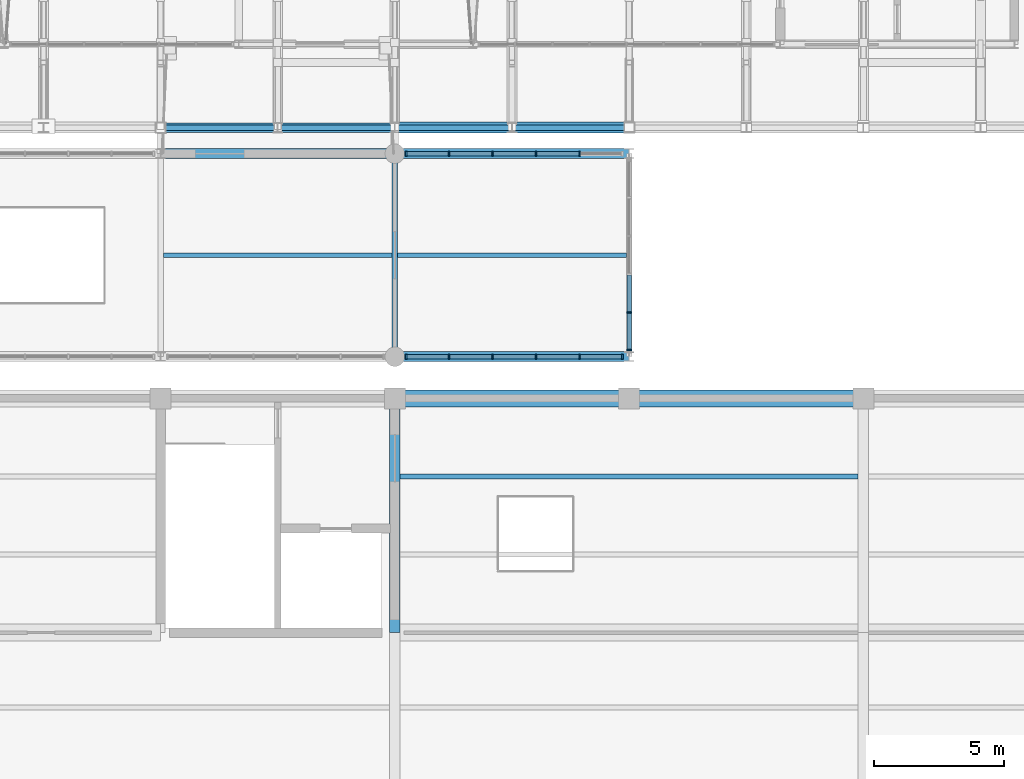
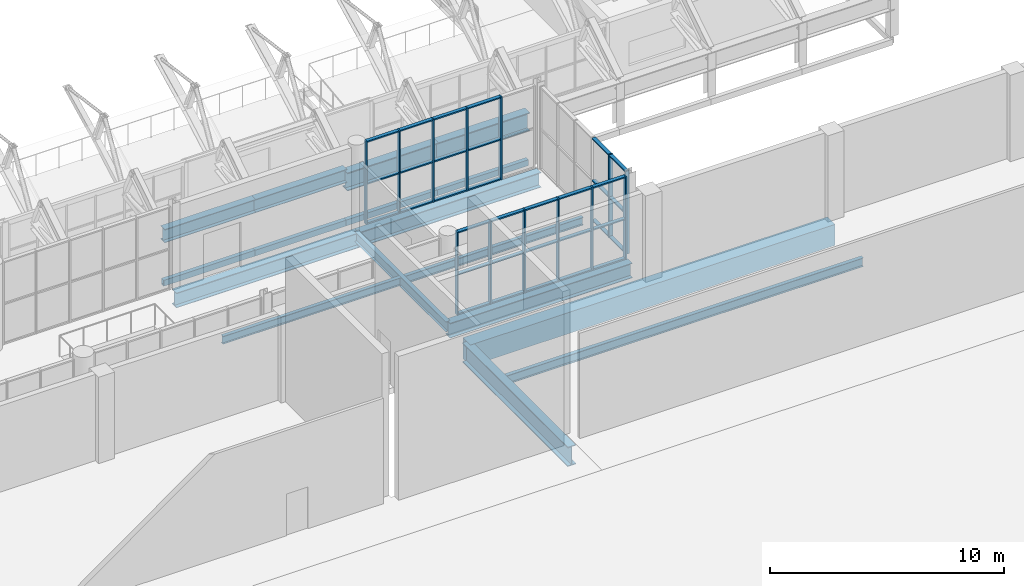
# One storey, part 75 of 134: 46 members, 17 beams, 3 elements without a shape of their own.
"""IFC4 building model written with IfcOpenShell, lengths in metres."""

from ifc_helpers import new_model, si_unit, direction, frame, origin, origin_2d, place, context, subcontext, project, spatial, rectangle, hollow_rectangle, i_section, extrude, material, layer, layer_set, material_profile, profile_set, type_object, element, aggregate, save


model = new_model("IFC4")

# Units and contexts
model_context = context("Model", 3, precision=1e-05, world=origin(), true_north=direction((0.0, 1.0)))
body_context = subcontext(model_context, "Body", "Model", "MODEL_VIEW")
ifc_project = project(units=[si_unit("LENGTHUNIT", "METRE"), si_unit("AREAUNIT", "SQUARE_METRE"), si_unit("VOLUMEUNIT", "CUBIC_METRE"), si_unit("PLANEANGLEUNIT", "RADIAN"), si_unit("MASSUNIT", "GRAM", prefix="KILO")], contexts=[model_context])

# Site, building, storey
site_placement = place(None, origin())
site = spatial("IfcSite", under=ifc_project, at=site_placement, CompositionType="ELEMENT")
building_placement = place(site_placement, origin())
building = spatial("IfcBuilding", under=site, at=building_placement, Name="Cazmaro Siding Exhibition Halls", CompositionType="ELEMENT")
storey_placement = place(building_placement, frame((0.0, 0.0, 12.0)))
storey = spatial("IfcBuildingStorey", under=building, at=storey_placement, Name="L02", CompositionType="ELEMENT", Elevation=12.0)

# Beam
ifc_material_1 = material(Name="Steel ASTM A992 Grade 50", Category="steel")
ifc_material_profile_1 = material_profile(ifc_material_1, i_section(OverallWidth=0.2099609375, OverallDepth=0.535888671875, WebThickness=0.010986328125, FlangeThickness=0.01708984375, at=origin_2d()), Name="W21X68")
ifc_profile_set_1 = profile_set([ifc_material_profile_1], Name="Steel ASTM A992 Grade 50")
beam_type_1 = type_object("IfcBeamType", Name="B-02", PredefinedType="BEAM", material=ifc_profile_set_1)
beam_1_placement = place(storey_placement, frame((144.0, 55.199951171875, -0.488037109375), z_axis=(0.0, 1.0, 0.0), x_axis=(-1.0, 0.0, 0.0)))
element("IfcBeam", 1, at=beam_1_placement, inside=storey, type_object=beam_type_1, Name="Beam B-02 BM-1721", PredefinedType="BEAM", context=body_context, shape_type="SweptSolid", body=[
    extrude(i_section(OverallWidth=0.2099609375, OverallDepth=0.535888671875, WebThickness=0.010986328125, FlangeThickness=0.01708984375, at=origin_2d()), origin(), (0.0, 0.0, 1.0), 7.800048828125),
])

# Curtain wall, members
ifc_material_2 = material(Name="Anodized Bronze Aluminum and Solar-Control Low-E Glazing", Category="aluminium")
ifc_layer = layer(ifc_material_2, 0.199951171875)
ifc_layer_set = layer_set([ifc_layer], Name="Anodized Bronze Aluminum and Solar-Control Low-E Glazing")
curtain_wall_type = type_object("IfcCurtainWallType", Name="CWS-02", PredefinedType="USERDEFINED", material=ifc_layer_set)
curtain_wall_1_placement = place(storey_placement, origin())
curtain_wall_1 = element("IfcCurtainWall", 2, at=curtain_wall_1_placement, inside=storey, type_object=curtain_wall_type, Name="Glazed Curtain Wall CWS-02 CW-202", ObjectType="GLAZED CURTAIN WALL", PredefinedType="USERDEFINED")
ifc_material_3 = material(Name="Anodized Bronze Extruded Aluminum", Category="aluminium")
ifc_material_profile_2 = material_profile(ifc_material_3, rectangle(XDim=0.199951171875, YDim=0.06494140625, at=origin_2d()), Name="CWM-02")
ifc_profile_set_2 = profile_set([ifc_material_profile_2], Name="Anodized Bronze Extruded Aluminum")
member_type_1 = type_object("IfcMemberType", Name="CWM-02", PredefinedType="MULLION", material=ifc_profile_set_2)
member_1_placement = place(storey_placement, frame((144.4404296875, 55.199951171875, 0.0), z_axis=(0.0, 0.0, 1.0), x_axis=(0.0, 1.0, 0.0)))
member_1 = element("IfcMember", 3, at=member_1_placement, type_object=member_type_1, Name="CWS-02 mullion 1", PredefinedType="MULLION", context=body_context, shape_type="SweptSolid", body=[
    extrude(rectangle(XDim=0.199951171875, YDim=0.06494140625, at=origin_2d()), origin(), (0.0, 0.0, 1.0), 4.324951171875),
])
member_2_placement = place(storey_placement, frame((146.080322265625, 55.199951171875, 0.0), z_axis=(0.0, 0.0, 1.0), x_axis=(0.0, 1.0, 0.0)))
member_2 = element("IfcMember", 4, at=member_2_placement, type_object=member_type_1, Name="CWS-02 mullion 2", PredefinedType="MULLION", context=body_context, shape_type="SweptSolid", body=[
    extrude(rectangle(XDim=0.199951171875, YDim=0.06494140625, at=origin_2d()), origin(), (0.0, 0.0, 1.0), 4.324951171875),
])
member_3_placement = place(storey_placement, frame((147.752685546875, 55.199951171875, 0.0), z_axis=(0.0, 0.0, 1.0), x_axis=(0.0, 1.0, 0.0)))
member_3 = element("IfcMember", 5, at=member_3_placement, type_object=member_type_1, Name="CWS-02 mullion 3", PredefinedType="MULLION", context=body_context, shape_type="SweptSolid", body=[
    extrude(rectangle(XDim=0.199951171875, YDim=0.06494140625, at=origin_2d()), origin(), (0.0, 0.0, 1.0), 4.324951171875),
])
member_4_placement = place(storey_placement, frame((149.42529296875, 55.199951171875, 0.0), z_axis=(0.0, 0.0, 1.0), x_axis=(0.0, 1.0, 0.0)))
member_4 = element("IfcMember", 6, at=member_4_placement, type_object=member_type_1, Name="CWS-02 mullion 4", PredefinedType="MULLION", context=body_context, shape_type="SweptSolid", body=[
    extrude(rectangle(XDim=0.199951171875, YDim=0.06494140625, at=origin_2d()), origin(), (0.0, 0.0, 1.0), 4.324951171875),
])
member_5_placement = place(storey_placement, frame((151.09765625, 55.199951171875, 0.0), z_axis=(0.0, 0.0, 1.0), x_axis=(0.0, 1.0, 0.0)))
member_5 = element("IfcMember", 7, at=member_5_placement, type_object=member_type_1, Name="CWS-02 mullion 5", PredefinedType="MULLION", context=body_context, shape_type="SweptSolid", body=[
    extrude(rectangle(XDim=0.199951171875, YDim=0.06494140625, at=origin_2d()), origin(), (0.0, 0.0, 1.0), 4.324951171875),
])
member_6_placement = place(storey_placement, frame((152.737548828125, 55.199951171875, 0.0), z_axis=(0.0, 0.0, 1.0), x_axis=(0.0, 1.0, 0.0)))
member_6 = element("IfcMember", 8, at=member_6_placement, type_object=member_type_1, Name="CWS-02 mullion 6", PredefinedType="MULLION", context=body_context, shape_type="SweptSolid", body=[
    extrude(rectangle(XDim=0.199951171875, YDim=0.06494140625, at=origin_2d()), origin(), (0.0, 0.0, 1.0), 4.324951171875),
])

curtain_wall_2_placement = place(storey_placement, origin())
curtain_wall_2 = element("IfcCurtainWall", 9, at=curtain_wall_2_placement, inside=storey, type_object=curtain_wall_type, Name="Glazed Curtain Wall CWS-02 CW-204", ObjectType="GLAZED CURTAIN WALL", PredefinedType="USERDEFINED")
member_7_placement = place(storey_placement, frame((151.09765625, 63.0, 0.0), z_axis=(0.0, 0.0, 1.0), x_axis=(0.0, -1.0, 0.0)))
member_7 = element("IfcMember", 10, at=member_7_placement, type_object=member_type_1, Name="CWS-02 mullion 2", PredefinedType="MULLION", context=body_context, shape_type="SweptSolid", body=[
    extrude(rectangle(XDim=0.199951171875, YDim=0.06494140625, at=origin_2d()), origin(), (0.0, 0.0, 1.0), 4.324951171875),
])
member_8_placement = place(storey_placement, frame((149.42529296875, 63.0, 0.0), z_axis=(0.0, 0.0, 1.0), x_axis=(0.0, -1.0, 0.0)))
member_8 = element("IfcMember", 11, at=member_8_placement, type_object=member_type_1, Name="CWS-02 mullion 3", PredefinedType="MULLION", context=body_context, shape_type="SweptSolid", body=[
    extrude(rectangle(XDim=0.199951171875, YDim=0.06494140625, at=origin_2d()), origin(), (0.0, 0.0, 1.0), 4.324951171875),
])
member_9_placement = place(storey_placement, frame((147.752685546875, 63.0, 0.0), z_axis=(0.0, 0.0, 1.0), x_axis=(0.0, -1.0, 0.0)))
member_9 = element("IfcMember", 12, at=member_9_placement, type_object=member_type_1, Name="CWS-02 mullion 4", PredefinedType="MULLION", context=body_context, shape_type="SweptSolid", body=[
    extrude(rectangle(XDim=0.199951171875, YDim=0.06494140625, at=origin_2d()), origin(), (0.0, 0.0, 1.0), 4.324951171875),
])
member_10_placement = place(storey_placement, frame((146.080322265625, 63.0, 0.0), z_axis=(0.0, 0.0, 1.0), x_axis=(0.0, -1.0, 0.0)))
member_10 = element("IfcMember", 13, at=member_10_placement, type_object=member_type_1, Name="CWS-02 mullion 5", PredefinedType="MULLION", context=body_context, shape_type="SweptSolid", body=[
    extrude(rectangle(XDim=0.199951171875, YDim=0.06494140625, at=origin_2d()), origin(), (0.0, 0.0, 1.0), 4.324951171875),
])
member_11_placement = place(storey_placement, frame((144.4404296875, 63.0, 0.0), z_axis=(0.0, 0.0, 1.0), x_axis=(0.0, -1.0, 0.0)))
member_11 = element("IfcMember", 14, at=member_11_placement, type_object=member_type_1, Name="CWS-02 mullion 6", PredefinedType="MULLION", context=body_context, shape_type="SweptSolid", body=[
    extrude(rectangle(XDim=0.199951171875, YDim=0.06494140625, at=origin_2d()), origin(), (0.0, 0.0, 1.0), 4.324951171875),
])

curtain_wall_3_placement = place(storey_placement, origin())
curtain_wall_3 = element("IfcCurtainWall", 15, at=curtain_wall_3_placement, inside=storey, type_object=curtain_wall_type, Name="Glazed Curtain Wall CWS-02 CW-209", ObjectType="GLAZED CURTAIN WALL", PredefinedType="USERDEFINED")
member_12_placement = place(storey_placement, frame((153.0, 55.45947265625, 0.0), z_axis=(0.0, 0.0, 1.0), x_axis=(-1.0, 0.0, 0.0)))
member_12 = element("IfcMember", 16, at=member_12_placement, type_object=member_type_1, Name="CWS-02 mullion 1", PredefinedType="MULLION", context=body_context, shape_type="SweptSolid", body=[
    extrude(rectangle(XDim=0.199951171875, YDim=0.06494140625, at=origin_2d()), origin(), (0.0, 0.0, 1.0), 4.324951171875),
])
member_13_placement = place(storey_placement, frame((153.0, 56.896240234375, 0.0), z_axis=(0.0, 0.0, 1.0), x_axis=(-1.0, 0.0, 0.0)))
member_13 = element("IfcMember", 17, at=member_13_placement, type_object=member_type_1, Name="CWS-02 mullion 2", PredefinedType="MULLION", context=body_context, shape_type="SweptSolid", body=[
    extrude(rectangle(XDim=0.199951171875, YDim=0.06494140625, at=origin_2d()), origin(), (0.0, 0.0, 1.0), 4.324951171875),
])

# Member
ifc_material_4 = material(Name="Anodized Bronze Extruded Aluminum", Category="aluminium")
ifc_material_profile_3 = material_profile(ifc_material_4, rectangle(XDim=0.179931640625, YDim=0.06494140625, at=origin_2d()), Name="CWT-02")
ifc_profile_set_3 = profile_set([ifc_material_profile_3], Name="Anodized Bronze Extruded Aluminum")
member_type_2 = type_object("IfcMemberType", Name="CWT-02", PredefinedType="MULLION", material=ifc_profile_set_3)
member_14_placement = place(storey_placement, frame((144.472900390625, 55.199951171875, 0.032470703125), z_axis=(1.0, 0.0, 0.0), x_axis=(0.0, 1.0, 0.0)))
member_14 = element("IfcMember", 18, at=member_14_placement, type_object=member_type_2, Name="CWS-02 transom 1.1", ObjectType="TRANSOM", PredefinedType="USERDEFINED", context=body_context, shape_type="SweptSolid", body=[
    extrude(rectangle(XDim=0.179931640625, YDim=0.06494140625, at=origin_2d()), origin(), (0.0, 0.0, 1.0), 1.574951171875),
])

member_15_placement = place(storey_placement, frame((144.472900390625, 55.199951171875, 2.10009765625), z_axis=(1.0, 0.0, 0.0), x_axis=(0.0, 1.0, 0.0)))
member_15 = element("IfcMember", 19, at=member_15_placement, type_object=member_type_2, Name="CWS-02 transom 1.2", ObjectType="TRANSOM", PredefinedType="USERDEFINED", context=body_context, shape_type="SweptSolid", body=[
    extrude(rectangle(XDim=0.179931640625, YDim=0.06494140625, at=origin_2d()), origin(), (0.0, 0.0, 1.0), 1.574951171875),
])

member_16_placement = place(storey_placement, frame((144.472900390625, 55.199951171875, 4.29248046875), z_axis=(1.0, 0.0, 0.0), x_axis=(0.0, 1.0, 0.0)))
member_16 = element("IfcMember", 20, at=member_16_placement, type_object=member_type_2, Name="CWS-02 transom 1.3", ObjectType="TRANSOM", PredefinedType="USERDEFINED", context=body_context, shape_type="SweptSolid", body=[
    extrude(rectangle(XDim=0.179931640625, YDim=0.06494140625, at=origin_2d()), origin(), (0.0, 0.0, 1.0), 1.574951171875),
])

member_17_placement = place(storey_placement, frame((146.11279296875, 55.199951171875, 0.032470703125), z_axis=(1.0, 0.0, 0.0), x_axis=(0.0, 1.0, 0.0)))
member_17 = element("IfcMember", 21, at=member_17_placement, type_object=member_type_2, Name="CWS-02 transom 2.1", ObjectType="TRANSOM", PredefinedType="USERDEFINED", context=body_context, shape_type="SweptSolid", body=[
    extrude(rectangle(XDim=0.179931640625, YDim=0.06494140625, at=origin_2d()), origin(), (0.0, 0.0, 1.0), 1.607421875),
])

member_18_placement = place(storey_placement, frame((146.11279296875, 55.199951171875, 2.10009765625), z_axis=(1.0, 0.0, 0.0), x_axis=(0.0, 1.0, 0.0)))
member_18 = element("IfcMember", 22, at=member_18_placement, type_object=member_type_2, Name="CWS-02 transom 2.2", ObjectType="TRANSOM", PredefinedType="USERDEFINED", context=body_context, shape_type="SweptSolid", body=[
    extrude(rectangle(XDim=0.179931640625, YDim=0.06494140625, at=origin_2d()), origin(), (0.0, 0.0, 1.0), 1.607421875),
])

member_19_placement = place(storey_placement, frame((146.11279296875, 55.199951171875, 4.29248046875), z_axis=(1.0, 0.0, 0.0), x_axis=(0.0, 1.0, 0.0)))
member_19 = element("IfcMember", 23, at=member_19_placement, type_object=member_type_2, Name="CWS-02 transom 2.3", ObjectType="TRANSOM", PredefinedType="USERDEFINED", context=body_context, shape_type="SweptSolid", body=[
    extrude(rectangle(XDim=0.179931640625, YDim=0.06494140625, at=origin_2d()), origin(), (0.0, 0.0, 1.0), 1.607421875),
])

member_20_placement = place(storey_placement, frame((147.785400390625, 55.199951171875, 0.032470703125), z_axis=(1.0, 0.0, 0.0), x_axis=(0.0, 1.0, 0.0)))
member_20 = element("IfcMember", 24, at=member_20_placement, type_object=member_type_2, Name="CWS-02 transom 3.1", ObjectType="TRANSOM", PredefinedType="USERDEFINED", context=body_context, shape_type="SweptSolid", body=[
    extrude(rectangle(XDim=0.179931640625, YDim=0.06494140625, at=origin_2d()), origin(), (0.0, 0.0, 1.0), 1.607177734375),
])

member_21_placement = place(storey_placement, frame((147.785400390625, 55.199951171875, 2.10009765625), z_axis=(1.0, 0.0, 0.0), x_axis=(0.0, 1.0, 0.0)))
member_21 = element("IfcMember", 25, at=member_21_placement, type_object=member_type_2, Name="CWS-02 transom 3.2", ObjectType="TRANSOM", PredefinedType="USERDEFINED", context=body_context, shape_type="SweptSolid", body=[
    extrude(rectangle(XDim=0.179931640625, YDim=0.06494140625, at=origin_2d()), origin(), (0.0, 0.0, 1.0), 1.607177734375),
])

member_22_placement = place(storey_placement, frame((147.785400390625, 55.199951171875, 4.29248046875), z_axis=(1.0, 0.0, 0.0), x_axis=(0.0, 1.0, 0.0)))
member_22 = element("IfcMember", 26, at=member_22_placement, type_object=member_type_2, Name="CWS-02 transom 3.3", ObjectType="TRANSOM", PredefinedType="USERDEFINED", context=body_context, shape_type="SweptSolid", body=[
    extrude(rectangle(XDim=0.179931640625, YDim=0.06494140625, at=origin_2d()), origin(), (0.0, 0.0, 1.0), 1.607177734375),
])

member_23_placement = place(storey_placement, frame((149.457763671875, 55.199951171875, 0.032470703125), z_axis=(1.0, 0.0, 0.0), x_axis=(0.0, 1.0, 0.0)))
member_23 = element("IfcMember", 27, at=member_23_placement, type_object=member_type_2, Name="CWS-02 transom 4.1", ObjectType="TRANSOM", PredefinedType="USERDEFINED", context=body_context, shape_type="SweptSolid", body=[
    extrude(rectangle(XDim=0.179931640625, YDim=0.06494140625, at=origin_2d()), origin(), (0.0, 0.0, 1.0), 1.607421875),
])

member_24_placement = place(storey_placement, frame((149.457763671875, 55.199951171875, 2.10009765625), z_axis=(1.0, 0.0, 0.0), x_axis=(0.0, 1.0, 0.0)))
member_24 = element("IfcMember", 28, at=member_24_placement, type_object=member_type_2, Name="CWS-02 transom 4.2", ObjectType="TRANSOM", PredefinedType="USERDEFINED", context=body_context, shape_type="SweptSolid", body=[
    extrude(rectangle(XDim=0.179931640625, YDim=0.06494140625, at=origin_2d()), origin(), (0.0, 0.0, 1.0), 1.607421875),
])

member_25_placement = place(storey_placement, frame((149.457763671875, 55.199951171875, 4.29248046875), z_axis=(1.0, 0.0, 0.0), x_axis=(0.0, 1.0, 0.0)))
member_25 = element("IfcMember", 29, at=member_25_placement, type_object=member_type_2, Name="CWS-02 transom 4.3", ObjectType="TRANSOM", PredefinedType="USERDEFINED", context=body_context, shape_type="SweptSolid", body=[
    extrude(rectangle(XDim=0.179931640625, YDim=0.06494140625, at=origin_2d()), origin(), (0.0, 0.0, 1.0), 1.607421875),
])

member_26_placement = place(storey_placement, frame((151.130126953125, 55.199951171875, 0.032470703125), z_axis=(1.0, 0.0, 0.0), x_axis=(0.0, 1.0, 0.0)))
member_26 = element("IfcMember", 30, at=member_26_placement, type_object=member_type_2, Name="CWS-02 transom 5.1", ObjectType="TRANSOM", PredefinedType="USERDEFINED", context=body_context, shape_type="SweptSolid", body=[
    extrude(rectangle(XDim=0.179931640625, YDim=0.06494140625, at=origin_2d()), origin(), (0.0, 0.0, 1.0), 1.574951171875),
])

member_27_placement = place(storey_placement, frame((151.130126953125, 55.199951171875, 2.10009765625), z_axis=(1.0, 0.0, 0.0), x_axis=(0.0, 1.0, 0.0)))
member_27 = element("IfcMember", 31, at=member_27_placement, type_object=member_type_2, Name="CWS-02 transom 5.2", ObjectType="TRANSOM", PredefinedType="USERDEFINED", context=body_context, shape_type="SweptSolid", body=[
    extrude(rectangle(XDim=0.179931640625, YDim=0.06494140625, at=origin_2d()), origin(), (0.0, 0.0, 1.0), 1.574951171875),
])

member_28_placement = place(storey_placement, frame((151.130126953125, 55.199951171875, 4.29248046875), z_axis=(1.0, 0.0, 0.0), x_axis=(0.0, 1.0, 0.0)))
member_28 = element("IfcMember", 32, at=member_28_placement, type_object=member_type_2, Name="CWS-02 transom 5.3", ObjectType="TRANSOM", PredefinedType="USERDEFINED", context=body_context, shape_type="SweptSolid", body=[
    extrude(rectangle(XDim=0.179931640625, YDim=0.06494140625, at=origin_2d()), origin(), (0.0, 0.0, 1.0), 1.574951171875),
])

aggregate(curtain_wall_1, [member_1, member_2, member_3, member_4, member_5, member_6, member_14, member_15, member_16, member_17, member_18, member_19, member_20, member_21, member_22, member_23, member_24, member_25, member_26, member_27, member_28])

member_29_placement = place(storey_placement, frame((151.065185546875, 63.0, 0.032470703125), z_axis=(-1.0, 0.0, 0.0), x_axis=(0.0, -1.0, 0.0)))
member_29 = element("IfcMember", 33, at=member_29_placement, type_object=member_type_2, Name="CWS-02 transom 2.1", ObjectType="TRANSOM", PredefinedType="USERDEFINED", context=body_context, shape_type="SweptSolid", body=[
    extrude(rectangle(XDim=0.179931640625, YDim=0.06494140625, at=origin_2d()), origin(), (0.0, 0.0, 1.0), 1.607421875),
])

member_30_placement = place(storey_placement, frame((151.065185546875, 63.0, 2.10009765625), z_axis=(-1.0, 0.0, 0.0), x_axis=(0.0, -1.0, 0.0)))
member_30 = element("IfcMember", 34, at=member_30_placement, type_object=member_type_2, Name="CWS-02 transom 2.2", ObjectType="TRANSOM", PredefinedType="USERDEFINED", context=body_context, shape_type="SweptSolid", body=[
    extrude(rectangle(XDim=0.179931640625, YDim=0.06494140625, at=origin_2d()), origin(), (0.0, 0.0, 1.0), 1.607421875),
])

member_31_placement = place(storey_placement, frame((151.065185546875, 63.0, 4.29248046875), z_axis=(-1.0, 0.0, 0.0), x_axis=(0.0, -1.0, 0.0)))
member_31 = element("IfcMember", 35, at=member_31_placement, type_object=member_type_2, Name="CWS-02 transom 2.3", ObjectType="TRANSOM", PredefinedType="USERDEFINED", context=body_context, shape_type="SweptSolid", body=[
    extrude(rectangle(XDim=0.179931640625, YDim=0.06494140625, at=origin_2d()), origin(), (0.0, 0.0, 1.0), 1.607421875),
])

member_32_placement = place(storey_placement, frame((149.392578125, 63.0, 0.032470703125), z_axis=(-1.0, 0.0, 0.0), x_axis=(0.0, -1.0, 0.0)))
member_32 = element("IfcMember", 36, at=member_32_placement, type_object=member_type_2, Name="CWS-02 transom 3.1", ObjectType="TRANSOM", PredefinedType="USERDEFINED", context=body_context, shape_type="SweptSolid", body=[
    extrude(rectangle(XDim=0.179931640625, YDim=0.06494140625, at=origin_2d()), origin(), (0.0, 0.0, 1.0), 1.607177734375),
])

member_33_placement = place(storey_placement, frame((149.392578125, 63.0, 2.10009765625), z_axis=(-1.0, 0.0, 0.0), x_axis=(0.0, -1.0, 0.0)))
member_33 = element("IfcMember", 37, at=member_33_placement, type_object=member_type_2, Name="CWS-02 transom 3.2", ObjectType="TRANSOM", PredefinedType="USERDEFINED", context=body_context, shape_type="SweptSolid", body=[
    extrude(rectangle(XDim=0.179931640625, YDim=0.06494140625, at=origin_2d()), origin(), (0.0, 0.0, 1.0), 1.607177734375),
])

member_34_placement = place(storey_placement, frame((149.392578125, 63.0, 4.29248046875), z_axis=(-1.0, 0.0, 0.0), x_axis=(0.0, -1.0, 0.0)))
member_34 = element("IfcMember", 38, at=member_34_placement, type_object=member_type_2, Name="CWS-02 transom 3.3", ObjectType="TRANSOM", PredefinedType="USERDEFINED", context=body_context, shape_type="SweptSolid", body=[
    extrude(rectangle(XDim=0.179931640625, YDim=0.06494140625, at=origin_2d()), origin(), (0.0, 0.0, 1.0), 1.607177734375),
])

member_35_placement = place(storey_placement, frame((147.72021484375, 63.0, 0.032470703125), z_axis=(-1.0, 0.0, 0.0), x_axis=(0.0, -1.0, 0.0)))
member_35 = element("IfcMember", 39, at=member_35_placement, type_object=member_type_2, Name="CWS-02 transom 4.1", ObjectType="TRANSOM", PredefinedType="USERDEFINED", context=body_context, shape_type="SweptSolid", body=[
    extrude(rectangle(XDim=0.179931640625, YDim=0.06494140625, at=origin_2d()), origin(), (0.0, 0.0, 1.0), 1.607421875),
])

member_36_placement = place(storey_placement, frame((147.72021484375, 63.0, 2.10009765625), z_axis=(-1.0, 0.0, 0.0), x_axis=(0.0, -1.0, 0.0)))
member_36 = element("IfcMember", 40, at=member_36_placement, type_object=member_type_2, Name="CWS-02 transom 4.2", ObjectType="TRANSOM", PredefinedType="USERDEFINED", context=body_context, shape_type="SweptSolid", body=[
    extrude(rectangle(XDim=0.179931640625, YDim=0.06494140625, at=origin_2d()), origin(), (0.0, 0.0, 1.0), 1.607421875),
])

member_37_placement = place(storey_placement, frame((147.72021484375, 63.0, 4.29248046875), z_axis=(-1.0, 0.0, 0.0), x_axis=(0.0, -1.0, 0.0)))
member_37 = element("IfcMember", 41, at=member_37_placement, type_object=member_type_2, Name="CWS-02 transom 4.3", ObjectType="TRANSOM", PredefinedType="USERDEFINED", context=body_context, shape_type="SweptSolid", body=[
    extrude(rectangle(XDim=0.179931640625, YDim=0.06494140625, at=origin_2d()), origin(), (0.0, 0.0, 1.0), 1.607421875),
])

member_38_placement = place(storey_placement, frame((146.0478515625, 63.0, 0.032470703125), z_axis=(-1.0, 0.0, 0.0), x_axis=(0.0, -1.0, 0.0)))
member_38 = element("IfcMember", 42, at=member_38_placement, type_object=member_type_2, Name="CWS-02 transom 5.1", ObjectType="TRANSOM", PredefinedType="USERDEFINED", context=body_context, shape_type="SweptSolid", body=[
    extrude(rectangle(XDim=0.179931640625, YDim=0.06494140625, at=origin_2d()), origin(), (0.0, 0.0, 1.0), 1.574951171875),
])

member_39_placement = place(storey_placement, frame((146.0478515625, 63.0, 2.10009765625), z_axis=(-1.0, 0.0, 0.0), x_axis=(0.0, -1.0, 0.0)))
member_39 = element("IfcMember", 43, at=member_39_placement, type_object=member_type_2, Name="CWS-02 transom 5.2", ObjectType="TRANSOM", PredefinedType="USERDEFINED", context=body_context, shape_type="SweptSolid", body=[
    extrude(rectangle(XDim=0.179931640625, YDim=0.06494140625, at=origin_2d()), origin(), (0.0, 0.0, 1.0), 1.574951171875),
])

member_40_placement = place(storey_placement, frame((146.0478515625, 63.0, 4.29248046875), z_axis=(-1.0, 0.0, 0.0), x_axis=(0.0, -1.0, 0.0)))
member_40 = element("IfcMember", 44, at=member_40_placement, type_object=member_type_2, Name="CWS-02 transom 5.3", ObjectType="TRANSOM", PredefinedType="USERDEFINED", context=body_context, shape_type="SweptSolid", body=[
    extrude(rectangle(XDim=0.179931640625, YDim=0.06494140625, at=origin_2d()), origin(), (0.0, 0.0, 1.0), 1.574951171875),
])

aggregate(curtain_wall_2, [member_7, member_8, member_9, member_10, member_11, member_29, member_30, member_31, member_32, member_33, member_34, member_35, member_36, member_37, member_38, member_39, member_40])

member_41_placement = place(storey_placement, frame((153.0, 55.491943359375, 0.032470703125), z_axis=(0.0, 1.0, 0.0), x_axis=(-1.0, 0.0, 0.0)))
member_41 = element("IfcMember", 45, at=member_41_placement, type_object=member_type_2, Name="CWS-02 transom 1.1", ObjectType="TRANSOM", PredefinedType="USERDEFINED", context=body_context, shape_type="SweptSolid", body=[
    extrude(rectangle(XDim=0.179931640625, YDim=0.06494140625, at=origin_2d()), origin(), (0.0, 0.0, 1.0), 1.371826171875),
])

member_42_placement = place(storey_placement, frame((153.0, 55.491943359375, 2.10009765625), z_axis=(0.0, 1.0, 0.0), x_axis=(-1.0, 0.0, 0.0)))
member_42 = element("IfcMember", 46, at=member_42_placement, type_object=member_type_2, Name="CWS-02 transom 1.2", ObjectType="TRANSOM", PredefinedType="USERDEFINED", context=body_context, shape_type="SweptSolid", body=[
    extrude(rectangle(XDim=0.179931640625, YDim=0.06494140625, at=origin_2d()), origin(), (0.0, 0.0, 1.0), 1.371826171875),
])

member_43_placement = place(storey_placement, frame((153.0, 55.491943359375, 4.29248046875), z_axis=(0.0, 1.0, 0.0), x_axis=(-1.0, 0.0, 0.0)))
member_43 = element("IfcMember", 47, at=member_43_placement, type_object=member_type_2, Name="CWS-02 transom 1.3", ObjectType="TRANSOM", PredefinedType="USERDEFINED", context=body_context, shape_type="SweptSolid", body=[
    extrude(rectangle(XDim=0.179931640625, YDim=0.06494140625, at=origin_2d()), origin(), (0.0, 0.0, 1.0), 1.371826171875),
])

member_44_placement = place(storey_placement, frame((153.0, 56.9287109375, 0.032470703125), z_axis=(0.0, 1.0, 0.0), x_axis=(-1.0, 0.0, 0.0)))
member_44 = element("IfcMember", 48, at=member_44_placement, type_object=member_type_2, Name="CWS-02 transom 2.1", ObjectType="TRANSOM", PredefinedType="USERDEFINED", context=body_context, shape_type="SweptSolid", body=[
    extrude(rectangle(XDim=0.179931640625, YDim=0.06494140625, at=origin_2d()), origin(), (0.0, 0.0, 1.0), 1.404296875),
])

member_45_placement = place(storey_placement, frame((153.0, 56.9287109375, 2.10009765625), z_axis=(0.0, 1.0, 0.0), x_axis=(-1.0, 0.0, 0.0)))
member_45 = element("IfcMember", 49, at=member_45_placement, type_object=member_type_2, Name="CWS-02 transom 2.2", ObjectType="TRANSOM", PredefinedType="USERDEFINED", context=body_context, shape_type="SweptSolid", body=[
    extrude(rectangle(XDim=0.179931640625, YDim=0.06494140625, at=origin_2d()), origin(), (0.0, 0.0, 1.0), 1.404296875),
])

member_46_placement = place(storey_placement, frame((153.0, 56.9287109375, 4.29248046875), z_axis=(0.0, 1.0, 0.0), x_axis=(-1.0, 0.0, 0.0)))
member_46 = element("IfcMember", 50, at=member_46_placement, type_object=member_type_2, Name="CWS-02 transom 2.3", ObjectType="TRANSOM", PredefinedType="USERDEFINED", context=body_context, shape_type="SweptSolid", body=[
    extrude(rectangle(XDim=0.179931640625, YDim=0.06494140625, at=origin_2d()), origin(), (0.0, 0.0, 1.0), 1.404296875),
])

aggregate(curtain_wall_3, [member_12, member_13, member_41, member_42, member_43, member_44, member_45, member_46])

# Beams
ifc_material_5 = material(Name="Steel ASTM A992 Grade 50", Category="steel")
ifc_material_profile_4 = material_profile(ifc_material_5, i_section(OverallWidth=0.424072265625, OverallDepth=0.947021484375, WebThickness=0.02392578125, FlangeThickness=0.04296875, at=origin_2d()), Name="W36X302")
ifc_profile_set_4 = profile_set([ifc_material_profile_4], Name="Steel ASTM A992 Grade 50")
beam_type_2 = type_object("IfcBeamType", Name="G-01", PredefinedType="USERDEFINED", material=ifc_profile_set_4)
for number, where, z_axis, x_axis, name in (
    (51, (144.0, 64.0, 1.826904296875), (1.0, 0.0, 0.0), (0.0, 1.0, 0.0), "Beam G-01 BM-0195"),
    (52, (148.5, 64.0, 1.826904296875), (1.0, 0.0, 0.0), (0.0, 1.0, 0.0), "Beam G-01 BM-0201"),
):
    element("IfcBeam", number, at=place(storey_placement, frame(where, z_axis=z_axis, x_axis=x_axis)), inside=storey, type_object=beam_type_2, Name=name, ObjectType="GIRDER", PredefinedType="USERDEFINED", context=body_context, shape_type="SweptSolid", body=[
        extrude(i_section(OverallWidth=0.424072265625, OverallDepth=0.947021484375, WebThickness=0.02392578125, FlangeThickness=0.04296875, at=origin_2d()), origin(), (0.0, 0.0, 1.0), 4.5),
    ])
ifc_material_6 = material(Name="Steel ASTM A992 Grade 50", Category="steel")
ifc_material_profile_5 = material_profile(ifc_material_6, i_section(OverallWidth=0.381103515625, OverallDepth=0.779052734375, WebThickness=0.01806640625, FlangeThickness=0.030029296875, at=origin_2d()), Name="W30X191")
ifc_profile_set_5 = profile_set([ifc_material_profile_5], Name="Steel ASTM A992 Grade 50")
beam_type_3 = type_object("IfcBeamType", Name="G-04", PredefinedType="USERDEFINED", material=ifc_profile_set_5)
for number, where, z_axis, x_axis, name in (
    (53, (135.0, 63.0, -0.610107421875), (1.0, 0.0, 0.0), (0.0, 1.0, 0.0), "Beam G-04 BM-1664"),
    (54, (144.0, 55.199951171875, -0.610107421875), (1.0, 0.0, 0.0), (0.0, 1.0, 0.0), "Beam G-04 BM-1672"),
    (55, (144.0, 63.0, -0.610107421875), (1.0, 0.0, 0.0), (0.0, 1.0, 0.0), "Beam G-04 BM-1673"),
):
    element("IfcBeam", number, at=place(storey_placement, frame(where, z_axis=z_axis, x_axis=x_axis)), inside=storey, type_object=beam_type_3, Name=name, ObjectType="GIRDER", PredefinedType="USERDEFINED", context=body_context, shape_type="SweptSolid", body=[
        extrude(i_section(OverallWidth=0.381103515625, OverallDepth=0.779052734375, WebThickness=0.01806640625, FlangeThickness=0.030029296875, at=origin_2d()), origin(), (0.0, 0.0, 1.0), 9.0),
    ])
ifc_material_7 = material(Name="Steel ASTM A992 Grade 50", Category="steel")
ifc_material_profile_6 = material_profile(ifc_material_7, i_section(OverallWidth=0.35595703125, OverallDepth=0.696044921875, WebThickness=0.014892578125, FlangeThickness=0.02490234375, at=origin_2d()), Name="W27X146")
ifc_profile_set_6 = profile_set([ifc_material_profile_6], Name="Steel ASTM A992 Grade 50")
beam_type_4 = type_object("IfcBeamType", Name="G-05", PredefinedType="USERDEFINED", material=ifc_profile_set_6)
for number, where, z_axis, x_axis, name in (
    (56, (135.0, 64.0, 2.132080078125), (1.0, 0.0, 0.0), (0.0, 1.0, 0.0), "Beam G-05 BM-0183"),
    (57, (139.5, 64.0, 2.132080078125), (1.0, 0.0, 0.0), (0.0, 1.0, 0.0), "Beam G-05 BM-0189"),
):
    element("IfcBeam", number, at=place(storey_placement, frame(where, z_axis=z_axis, x_axis=x_axis)), inside=storey, type_object=beam_type_4, Name=name, ObjectType="GIRDER", PredefinedType="USERDEFINED", context=body_context, shape_type="SweptSolid", body=[
        extrude(i_section(OverallWidth=0.35595703125, OverallDepth=0.696044921875, WebThickness=0.014892578125, FlangeThickness=0.02490234375, at=origin_2d()), origin(), (0.0, 0.0, 1.0), 4.5),
    ])
ifc_material_8 = material(Name="Steel ASTM A992 Grade 50", Category="steel")
ifc_material_profile_7 = material_profile(ifc_material_8, i_section(OverallWidth=0.404052734375, OverallDepth=1.02099609375, WebThickness=0.02490234375, FlangeThickness=0.0458984375, at=origin_2d()), Name="W40X324")
ifc_profile_set_7 = profile_set([ifc_material_profile_7], Name="Steel ASTM A992 Grade 50")
beam_type_5 = type_object("IfcBeamType", Name="G-06", PredefinedType="USERDEFINED", material=ifc_profile_set_7)
beam_2_placement = place(storey_placement, frame((144.0, 44.60009765625, -0.81103515625), z_axis=(0.0, 1.0, 0.0), x_axis=(-1.0, 0.0, 0.0)))
element("IfcBeam", 58, at=beam_2_placement, inside=storey, type_object=beam_type_5, Name="Beam G-06 BM-1460", ObjectType="GIRDER", PredefinedType="USERDEFINED", context=body_context, shape_type="SweptSolid", body=[
    extrude(i_section(OverallWidth=0.404052734375, OverallDepth=1.02099609375, WebThickness=0.02490234375, FlangeThickness=0.0458984375, at=origin_2d()), origin(), (0.0, 0.0, 1.0), 9.0),
])
ifc_material_9 = material(Name="Concrete f'c 45 MPa", Category="concrete")
ifc_material_profile_8 = material_profile(ifc_material_9, rectangle(XDim=0.64990234375, YDim=1.10009765625, at=origin_2d()), Name="RC1100X650")
ifc_profile_set_8 = profile_set([ifc_material_profile_8], Name="Concrete f'c 45 MPa")
beam_type_6 = type_object("IfcBeamType", Name="G-08", PredefinedType="USERDEFINED", material=ifc_profile_set_8)
beam_3_placement = place(storey_placement, frame((144.0, 53.60009765625, -0.85009765625), z_axis=(1.0, 0.0, 0.0), x_axis=(0.0, 1.0, 0.0)))
element("IfcBeam", 59, at=beam_3_placement, inside=storey, type_object=beam_type_6, Name="Beam G-08 BM-1380", ObjectType="GIRDER", PredefinedType="USERDEFINED", context=body_context, shape_type="SweptSolid", body=[
    extrude(rectangle(XDim=0.64990234375, YDim=1.10009765625, at=origin_2d()), origin(), (0.0, 0.0, 1.0), 18.0),
])
ifc_material_10 = material(Name="Steel ASTM A992 Grade 50", Category="steel")
ifc_material_profile_9 = material_profile(ifc_material_10, i_section(OverallWidth=0.19091796875, OverallDepth=0.45703125, WebThickness=0.009033203125, FlangeThickness=0.013916015625, at=origin_2d()), Name="W18X50")
ifc_profile_set_9 = profile_set([ifc_material_profile_9], Name="Steel ASTM A992 Grade 50")
beam_type_7 = type_object("IfcBeamType", Name="J-01", PredefinedType="JOIST", material=ifc_profile_set_9)
beam_4_placement = place(storey_placement, frame((144.201904296875, 50.60009765625, -0.529052734375), z_axis=(1.0, 0.0, 0.0), x_axis=(0.0, 1.0, 0.0)))
element("IfcBeam", 60, at=beam_4_placement, inside=storey, type_object=beam_type_7, Name="Beam J-01 BM-1390", PredefinedType="JOIST", context=body_context, shape_type="SweptSolid", body=[
    extrude(i_section(OverallWidth=0.19091796875, OverallDepth=0.45703125, WebThickness=0.009033203125, FlangeThickness=0.013916015625, at=origin_2d()), origin(), (0.0, 0.0, 1.0), 17.59619140625),
])
ifc_material_11 = material(Name="Steel ASTM A992 Grade 50", Category="steel")
ifc_material_profile_10 = material_profile(ifc_material_11, i_section(OverallWidth=0.177978515625, OverallDepth=0.406005859375, WebThickness=0.008056640625, FlangeThickness=0.012939453125, at=origin_2d()), Name="W16X40")
ifc_profile_set_10 = profile_set([ifc_material_profile_10], Name="Steel ASTM A992 Grade 50")
beam_type_8 = type_object("IfcBeamType", Name="J-02", PredefinedType="JOIST", material=ifc_profile_set_10)
for number, where, z_axis, x_axis, name in (
    (61, (135.10498046875, 59.10009765625, -0.423095703125), (1.0, 0.0, 0.0), (0.0, 1.0, 0.0), "Beam J-02 BM-1665"),
    (62, (144.10498046875, 59.10009765625, -0.423095703125), (1.0, 0.0, 0.0), (0.0, 1.0, 0.0), "Beam J-02 BM-1674"),
):
    element("IfcBeam", number, at=place(storey_placement, frame(where, z_axis=z_axis, x_axis=x_axis)), inside=storey, type_object=beam_type_8, Name=name, PredefinedType="JOIST", context=body_context, shape_type="SweptSolid", body=[
        extrude(i_section(OverallWidth=0.177978515625, OverallDepth=0.406005859375, WebThickness=0.008056640625, FlangeThickness=0.012939453125, at=origin_2d()), origin(), (0.0, 0.0, 1.0), 8.7900390625),
    ])
ifc_material_12 = material(Name="Steel ASTM A500 Grade C", Category="steel")
ifc_material_profile_11 = material_profile(ifc_material_12, hollow_rectangle(XDim=0.202880859375, YDim=0.304931640625, WallThickness=0.011962890625, at=origin_2d()), Name="HSS12X8X1/2")
ifc_profile_set_11 = profile_set([ifc_material_profile_11], Name="Steel ASTM A500 Grade C")
beam_type_9 = type_object("IfcBeamType", Name="SP-01", PredefinedType="SPANDREL", material=ifc_profile_set_11)
for number, where, z_axis, x_axis, name in (
    (63, (135.0, 64.0, -0.373046875), (1.0, 0.0, 0.0), (0.0, 1.0, 0.0), "Beam SP-01 BM-0182"),
    (64, (139.5, 64.0, -0.373046875), (1.0, 0.0, 0.0), (0.0, 1.0, 0.0), "Beam SP-01 BM-0188"),
    (65, (144.0, 64.0, -0.373046875), (1.0, 0.0, 0.0), (0.0, 1.0, 0.0), "Beam SP-01 BM-0194"),
    (66, (148.5, 64.0, -0.373046875), (1.0, 0.0, 0.0), (0.0, 1.0, 0.0), "Beam SP-01 BM-0200"),
):
    element("IfcBeam", number, at=place(storey_placement, frame(where, z_axis=z_axis, x_axis=x_axis)), inside=storey, type_object=beam_type_9, Name=name, PredefinedType="SPANDREL", context=body_context, shape_type="SweptSolid", body=[
        extrude(hollow_rectangle(XDim=0.202880859375, YDim=0.304931640625, WallThickness=0.011962890625, at=origin_2d()), origin(), (0.0, 0.0, 1.0), 4.5),
    ])

save(model, "model.ifc")
